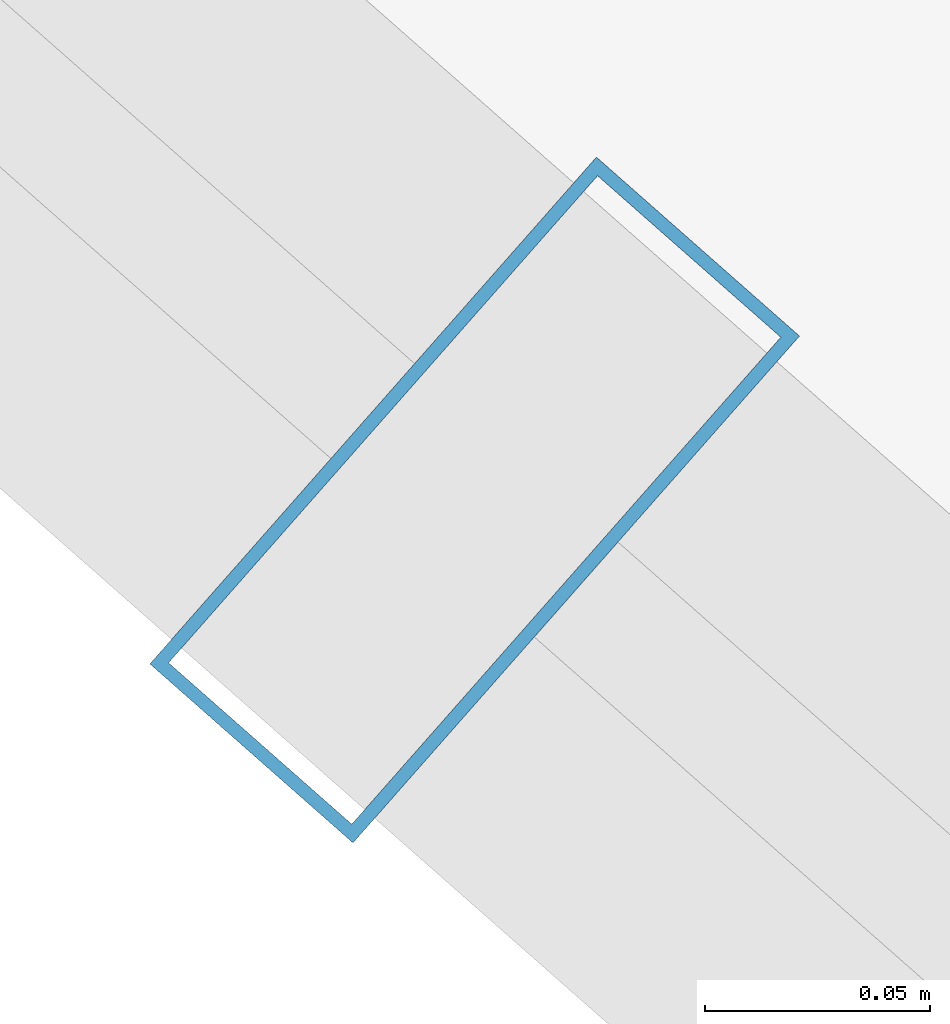
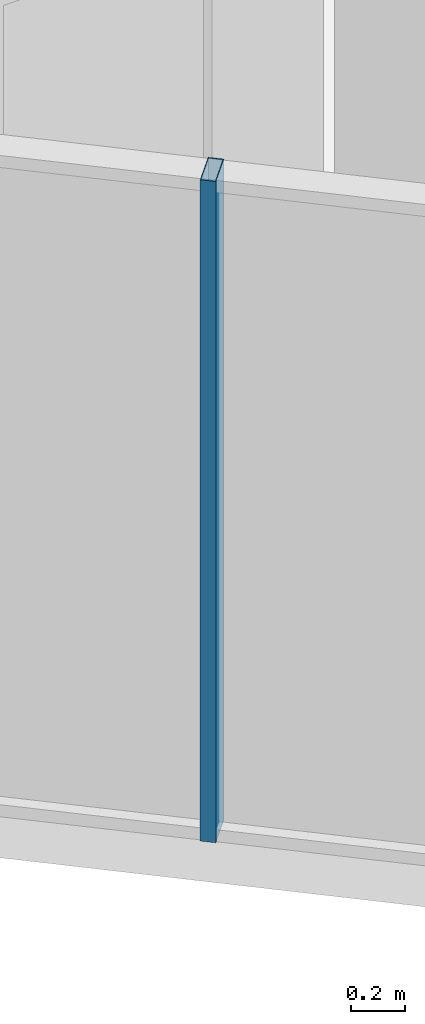
# One storey, part 2 of 28: 1 member, 1 element without a shape of its own.
"""IFC4 building model written with IfcOpenShell, lengths in metres."""

from ifc_helpers import new_model, si_unit, direction, frame, origin, origin_2d, place, context, subcontext, project, spatial, hollow_rectangle, extrude, source, transform, mapped, material, layer, layer_set, material_profile, profile_set, type_object, element, aggregate, save


model = new_model("IFC4")

# Units and contexts
model_context = context("Model", 3, precision=1e-05, world=origin(), true_north=direction((0.0, 1.0)))
body_context = subcontext(model_context, "Body", "Model", "MODEL_VIEW")
ifc_project = project(units=[si_unit("LENGTHUNIT", "METRE"), si_unit("AREAUNIT", "SQUARE_METRE"), si_unit("VOLUMEUNIT", "CUBIC_METRE"), si_unit("PLANEANGLEUNIT", "RADIAN"), si_unit("MASSUNIT", "GRAM", prefix="KILO")], contexts=[model_context])

# Site, building, storey
site_placement = place(None, origin())
site = spatial("IfcSite", under=ifc_project, at=site_placement, CompositionType="ELEMENT")
building_placement = place(site_placement, origin())
building = spatial("IfcBuilding", under=site, at=building_placement, Name="Veraguas Prism Commons", CompositionType="ELEMENT")
storey_placement = place(building_placement, frame((0.0, 0.0, 248.0)))
storey = spatial("IfcBuildingStorey", under=building, at=storey_placement, Name="L70", CompositionType="ELEMENT", Elevation=248.0)

# Curtain wall, member
ifc_material = material(Name="Anodised aluminium EN AW-6063 T6", Category="aluminium")
ifc_layer = layer(ifc_material, 0.14990234375, Name="Unitised Flush Curtain Wall Zone 4", Category="aluminium")
ifc_layer_set = layer_set([ifc_layer], Name="Anodised aluminium EN AW-6063 T6")
curtain_wall_type = type_object("IfcCurtainWallType", Name="Unitised Flush Curtain Wall Zone 4", PredefinedType="NOTDEFINED", material=ifc_layer_set)
curtain_wall_placement = place(storey_placement, origin())
curtain_wall = element("IfcCurtainWall", 1, at=curtain_wall_placement, inside=storey, type_object=curtain_wall_type, Name="Tower Facade Curtain Wall L70-F4", PredefinedType="NOTDEFINED")
ifc_material_profile = material_profile(ifc_material, hollow_rectangle(XDim=0.06005859375, YDim=0.14990234375, WallThickness=0.0029296875, at=origin_2d()), Name="AL60X150X3")
ifc_profile_set = profile_set([ifc_material_profile], Name="Anodised aluminium EN AW-6063 T6")
member_type = type_object("IfcMemberType", Name="Curtain Wall Mullion Upper AL 60x150x3", PredefinedType="MULLION", material=ifc_profile_set)
shared_shape = source(origin(), body_context, "Body", "SweptSolid", [
    extrude(hollow_rectangle(XDim=0.06005859375, YDim=0.14990234375, WallThickness=0.0029296875, at=origin_2d()), origin(), (0.0, 0.0, 1.0), 3.014892578125),
])
member_placement = place(storey_placement, frame((13.122802734375, 11.653564453125, 0.0), z_axis=(0.0, 0.0, 1.0), x_axis=(0.750347634036, -0.661043438888, 0.0)))
member = element("IfcMember", 2, at=member_placement, type_object=member_type, Name="CW-Z4 Mullion 3", PredefinedType="MULLION", context=body_context, shape_type="MappedRepresentation", body=[
    mapped(shared_shape, transform((0.0, 0.0, 0.0), scale=1.0)),
])
aggregate(curtain_wall, [member])

save(model, "model.ifc")
